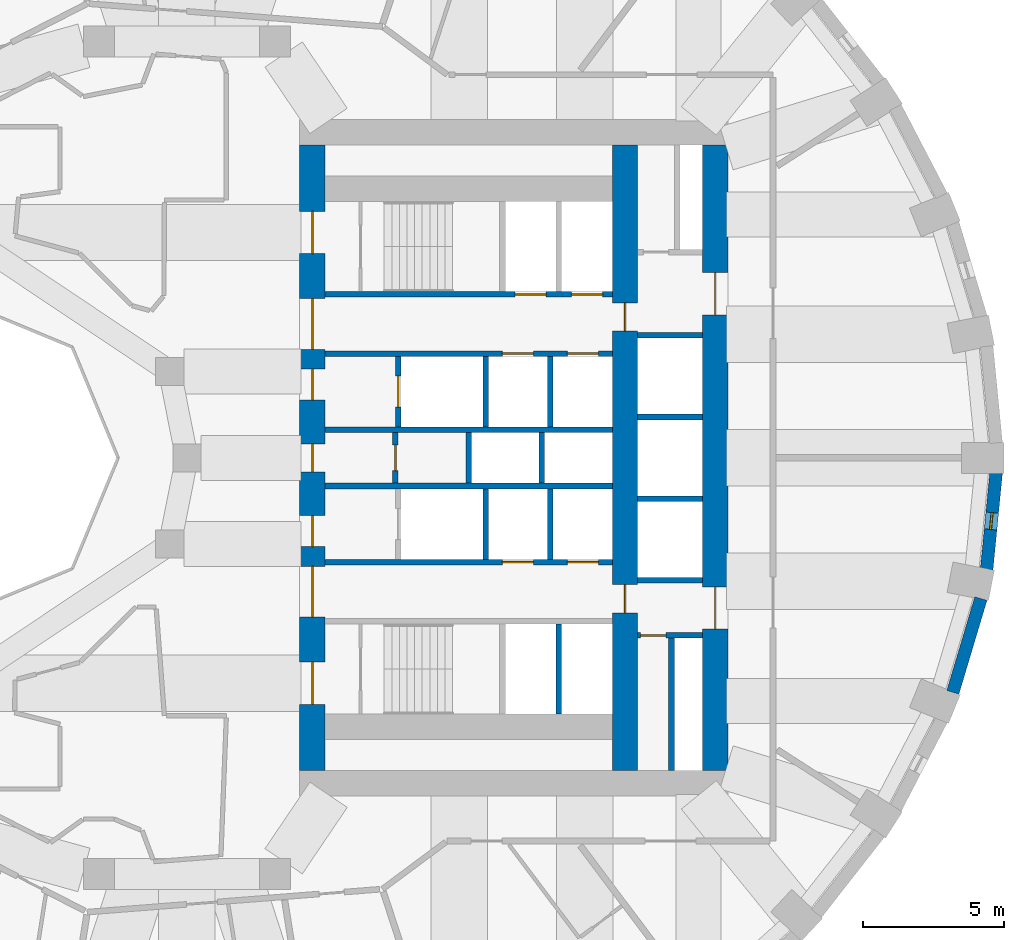
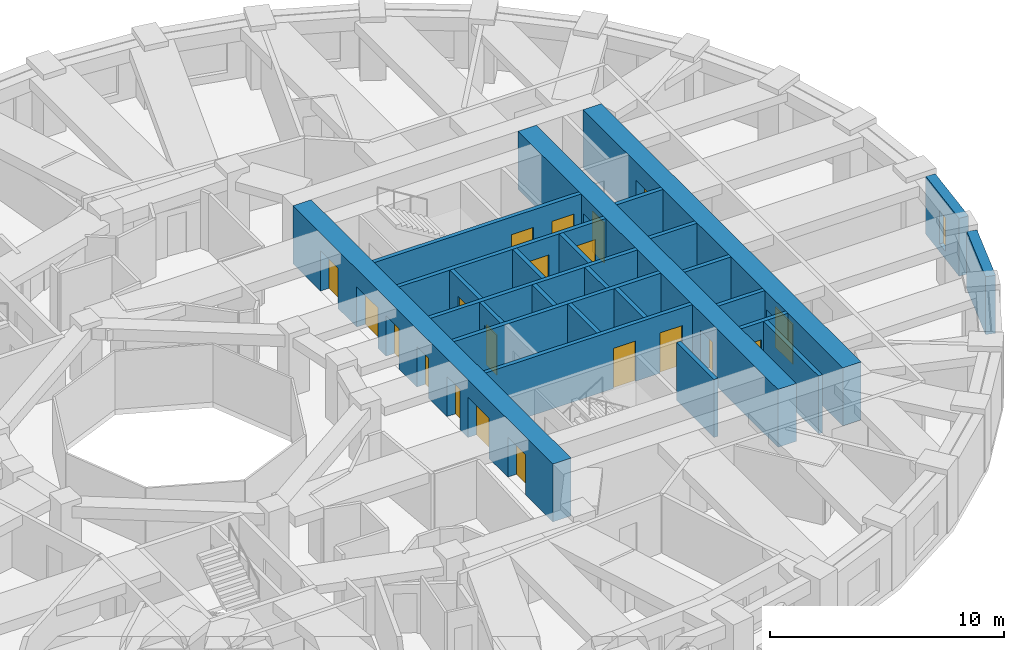
# One storey, part 6 of 13: 25 walls, 20 doors, 1 window, 21 openings.
"""IFC4 building model written with IfcOpenShell, lengths in metres."""

from ifc_helpers import new_model, si_unit, direction, frame, frame_2d, origin, place, context, subcontext, project, spatial, rectangle, extrude, material, layer, layer_set, type_object, element, fill, save


model = new_model("IFC4")

# Units and contexts
model_context = context("Model", 3, precision=1e-05, world=origin(), true_north=direction((0.0, 1.0)))
body_context = subcontext(model_context, "Body", "Model", "MODEL_VIEW")
ifc_project = project(units=[si_unit("LENGTHUNIT", "METRE"), si_unit("AREAUNIT", "SQUARE_METRE"), si_unit("VOLUMEUNIT", "CUBIC_METRE"), si_unit("PLANEANGLEUNIT", "RADIAN"), si_unit("MASSUNIT", "GRAM", prefix="KILO")], contexts=[model_context])

# Site, building, storey
site_placement = place(None, origin())
site = spatial("IfcSite", under=ifc_project, at=site_placement, CompositionType="ELEMENT")
building_placement = place(site_placement, origin())
building = spatial("IfcBuilding", under=site, at=building_placement, Name="Taillehof Tower", CompositionType="ELEMENT")
storey_placement = place(building_placement, frame((0.0, 0.0, 31.60009765625)))
storey = spatial("IfcBuildingStorey", under=building, at=storey_placement, Name="L07", CompositionType="ELEMENT", Elevation=31.60009765625)

# Wall
ifc_material_1 = material(Name="Brick masonry", Category="masonry")
ifc_layer_1 = layer(ifc_material_1, 0.449951171875)
ifc_layer_set_1 = layer_set([ifc_layer_1], Name="Brick infill wall 450")
wall_type_1 = type_object("IfcWallType", Name="Brick infill wall 450", PredefinedType="SOLIDWALL", material=ifc_layer_set_1)
wall_1_placement = place(storey_placement, frame((27.184814453125, -8.322998046875, 0.0), z_axis=(0.0, 0.0, 1.0), x_axis=(0.287064133733, 0.957911364963, 0.0)))
element("IfcWall", 1, at=wall_1_placement, inside=storey, type_object=wall_type_1, Name="Brick wall L07 bay 35", PredefinedType="SOLIDWALL", context=body_context, shape_type="SweptSolid", body=[
    extrude(rectangle(XDim=3.473388671875, YDim=0.449951171875, at=frame_2d((1.73681640625, 0.0))), origin(), (0.0, 0.0, 1.0), 3.02001953125),
])

# Wall, opening, window
wall_2_placement = place(storey_placement, frame((28.38671875, -3.95556640625, 0.0), z_axis=(0.0, 0.0, 1.0), x_axis=(0.097389581596, 0.995246336038, 0.0)))
wall_2 = element("IfcWall", 2, at=wall_2_placement, inside=storey, type_object=wall_type_1, Name="Brick wall L07 bay 36", PredefinedType="SOLIDWALL", context=body_context, shape_type="SweptSolid", body=[
    extrude(rectangle(XDim=3.44189453125, YDim=0.449951171875, at=frame_2d((1.720947265625, 0.0))), origin(), (0.0, 0.0, 1.0), 3.02001953125),
])
opening_1_placement = place(wall_2_placement, frame((1.4208984375, 0.0, 0.39990234375)))
opening_1 = element("IfcOpeningElement", 3, at=opening_1_placement, cuts=wall_2, Name="Opening W6", PredefinedType="OPENING", context=body_context, shape_type="SweptSolid", body=[
    extrude(rectangle(XDim=0.60009765625, YDim=1.75, at=frame_2d((0.300048828125, 0.875))), frame((0.0, 0.23486328125, 0.0), z_axis=(0.0, -1.0, 0.0), x_axis=(1.0, 0.0, 0.0)), (0.0, 0.0, 1.0), 0.469970703125),
])
ifc_material_2 = material(Name="Aluminium window frame with clear double glazing", Category="aluminium")
window_type = type_object("IfcWindowType", Name="Slot window 600x1750", PartitioningType="SINGLE_PANEL", PredefinedType="WINDOW", material=ifc_material_2)
window_placement = place(opening_1_placement, origin())
window = element("IfcWindow", 4, at=window_placement, inside=storey, type_object=window_type, Name="W6", OverallHeight=1.75, OverallWidth=0.60009765625, PartitioningType="SINGLE_PANEL", PredefinedType="WINDOW", context=body_context, shape_type="SweptSolid", body=[
    extrude(rectangle(XDim=0.60009765625, YDim=1.75, at=frame_2d((0.300048828125, 0.875))), frame((0.0, 0.034912109375, 0.0), z_axis=(0.0, -1.0, 0.0), x_axis=(1.0, 0.0, 0.0)), (0.0, 0.0, 1.0), 0.06005859375),
])
fill(opening_1, window)

# Wall, opening, door
ifc_material_3 = material(Name="Calcium silicate masonry", Category="masonry")
ifc_layer_2 = layer(ifc_material_3, 0.199951171875)
ifc_layer_set_2 = layer_set([ifc_layer_2], Name="Compartment wall calcium silicate 200")
wall_type_2 = type_object("IfcWallType", Name="Compartment wall calcium silicate 200", PredefinedType="PARTITIONING", material=ifc_layer_set_2)
wall_3_placement = place(storey_placement, frame((7.39990234375, -0.89990234375, 0.0), z_axis=(0.0, 0.0, 1.0), x_axis=(0.0, 1.0, 0.0)))
wall_3 = element("IfcWall", 5, at=wall_3_placement, inside=storey, type_object=wall_type_2, Name="Compartment wall FW", PredefinedType="PARTITIONING", context=body_context, shape_type="SweptSolid", body=[
    extrude(rectangle(XDim=1.7998046875, YDim=0.199951171875, at=frame_2d((0.89990234375, 0.0))), origin(), (0.0, 0.0, 1.0), 3.02001953125),
])
opening_2_placement = place(wall_3_placement, frame((0.449951171875, 0.0, 0.0)))
opening_2 = element("IfcOpeningElement", 6, at=opening_2_placement, cuts=wall_3, Name="Opening D0714", PredefinedType="OPENING", context=body_context, shape_type="SweptSolid", body=[
    extrude(rectangle(XDim=0.89990234375, YDim=2.10009765625, at=frame_2d((0.449951171875, 1.050048828125))), frame((0.0, 0.10986328125, 0.0), z_axis=(0.0, -1.0, 0.0), x_axis=(1.0, 0.0, 0.0)), (0.0, 0.0, 1.0), 0.219970703125),
])
ifc_material_4 = material(Name="Steel-faced fire door", Category="steel")
door_type_1 = type_object("IfcDoorType", Name="Riser and service room door 900x2100", OperationType="SINGLE_SWING_LEFT", PredefinedType="DOOR", material=ifc_material_4)
door_1_placement = place(opening_2_placement, origin())
door_1 = element("IfcDoor", 7, at=door_1_placement, inside=storey, type_object=door_type_1, Name="Door Comms Room", OperationType="SINGLE_SWING_RIGHT", OverallHeight=2.10009765625, OverallWidth=0.89990234375, PredefinedType="DOOR", context=body_context, shape_type="SweptSolid", body=[
    extrude(rectangle(XDim=0.89990234375, YDim=2.10009765625, at=frame_2d((0.449951171875, 1.050048828125))), frame((0.0, 0.02490234375, 0.0), z_axis=(0.0, -1.0, 0.0), x_axis=(1.0, 0.0, 0.0)), (0.0, 0.0, 1.0), 0.050048828125),
])
fill(opening_2, door_1)

# Walls
for number, where, z_axis, x_axis, name in (
    (8, (10.0, -0.89990234375, 0.0), (0.0, 0.0, 1.0), (0.0, 1.0, 0.0), "Compartment wall FW"),
    (9, (12.60009765625, -0.89990234375, 0.0), (0.0, 0.0, 1.0), (0.0, 1.0, 0.0), "Compartment wall FW"),
):
    element("IfcWall", number, at=place(storey_placement, frame(where, z_axis=z_axis, x_axis=x_axis)), inside=storey, type_object=wall_type_2, Name=name, PredefinedType="PARTITIONING", context=body_context, shape_type="SweptSolid", body=[
        extrude(rectangle(XDim=1.7998046875, YDim=0.199951171875, at=frame_2d((0.89990234375, 0.0))), origin(), (0.0, 0.0, 1.0), 3.02001953125),
    ])

# Wall, opening, door
wall_4_placement = place(storey_placement, frame((16.0, -6.300048828125, 0.0), z_axis=(0.0, 0.0, 1.0), x_axis=(1.0, 0.0, 0.0)))
wall_4 = element("IfcWall", 10, at=wall_4_placement, inside=storey, type_object=wall_type_2, Name="Compartment wall FW", PredefinedType="PARTITIONING", context=body_context, shape_type="SweptSolid", body=[
    extrude(rectangle(XDim=2.300048828125, YDim=0.199951171875, at=frame_2d((1.14990234375, 0.0))), origin(), (0.0, 0.0, 1.0), 3.02001953125),
])
opening_3_placement = place(wall_4_placement, frame((0.10009765625, 0.0, 0.0)))
opening_3 = element("IfcOpeningElement", 11, at=opening_3_placement, cuts=wall_4, Name="Opening D0718", PredefinedType="OPENING", context=body_context, shape_type="SweptSolid", body=[
    extrude(rectangle(XDim=0.89990234375, YDim=2.10009765625, at=frame_2d((0.449951171875, 1.050048828125))), frame((0.0, 0.10986328125, 0.0), z_axis=(0.0, -1.0, 0.0), x_axis=(1.0, 0.0, 0.0)), (0.0, 0.0, 1.0), 0.219970703125),
])
door_2_placement = place(opening_3_placement, origin())
door_2 = element("IfcDoor", 12, at=door_2_placement, inside=storey, type_object=door_type_1, Name="Door Store", OperationType="SINGLE_SWING_LEFT", OverallHeight=2.10009765625, OverallWidth=0.89990234375, PredefinedType="DOOR", context=body_context, shape_type="SweptSolid", body=[
    extrude(rectangle(XDim=0.89990234375, YDim=2.10009765625, at=frame_2d((0.449951171875, 1.050048828125))), frame((0.0, 0.02490234375, 0.0), z_axis=(0.0, -1.0, 0.0), x_axis=(1.0, 0.0, 0.0)), (0.0, 0.0, 1.0), 0.050048828125),
])
fill(opening_3, door_2)

# Wall
wall_5_placement = place(storey_placement, frame((17.199951171875, -11.10009765625, 0.0), z_axis=(0.0, 0.0, 1.0), x_axis=(0.0, 1.0, 0.0)))
element("IfcWall", 13, at=wall_5_placement, inside=storey, type_object=wall_type_2, Name="Compartment wall FW", PredefinedType="PARTITIONING", context=body_context, shape_type="SweptSolid", body=[
    extrude(rectangle(XDim=4.7001953125, YDim=0.199951171875, at=frame_2d((2.35009765625, 0.0))), origin(), (0.0, 0.0, 1.0), 3.02001953125),
])

# Wall, openings, doors
ifc_material_5 = material(Name="Concrete C80/95", Category="concrete")
ifc_layer_3 = layer(ifc_material_5, 0.89990234375)
ifc_layer_set_3 = layer_set([ifc_layer_3], Name="Core wall C80/95 900")
wall_type_3 = type_object("IfcWallType", Name="Core wall C80/95 900", PredefinedType="SHEAR", material=ifc_layer_set_3)
wall_6_placement = place(storey_placement, frame((4.449951171875, -11.10009765625, 0.0), z_axis=(0.0, 0.0, 1.0), x_axis=(0.0, 1.0, 0.0)))
wall_6 = element("IfcWall", 14, at=wall_6_placement, inside=storey, type_object=wall_type_3, Name="Core wall CW01", PredefinedType="SHEAR", context=body_context, shape_type="SweptSolid", body=[
    extrude(rectangle(XDim=22.2001953125, YDim=0.89990234375, at=frame_2d((11.10009765625, 0.0))), origin(), (0.0, 0.0, 1.0), 3.02001953125),
])
opening_4_placement = place(wall_6_placement, frame((2.35009765625, 0.0, 0.0)))
opening_4 = element("IfcOpeningElement", 15, at=opening_4_placement, cuts=wall_6, Name="Opening D0701", PredefinedType="OPENING", context=body_context, shape_type="SweptSolid", body=[
    extrude(rectangle(XDim=1.5, YDim=2.10009765625, at=frame_2d((0.75, 1.050048828125))), frame((0.0, 0.4599609375, 0.0), z_axis=(0.0, -1.0, 0.0), x_axis=(1.0, 0.0, 0.0)), (0.0, 0.0, 1.0), 0.919921875),
])
opening_5_placement = place(wall_6_placement, frame((5.449951171875, 0.0, 0.0)))
opening_5 = element("IfcOpeningElement", 16, at=opening_5_placement, cuts=wall_6, Name="Opening D0702", PredefinedType="OPENING", context=body_context, shape_type="SweptSolid", body=[
    extrude(rectangle(XDim=1.800048828125, YDim=2.10009765625, at=frame_2d((0.89990234375, 1.050048828125))), frame((0.0, 0.4599609375, 0.0), z_axis=(0.0, -1.0, 0.0), x_axis=(1.0, 0.0, 0.0)), (0.0, 0.0, 1.0), 0.919921875),
])
opening_6_placement = place(wall_6_placement, frame((7.949951171875, 0.0, 0.0)))
opening_6 = element("IfcOpeningElement", 17, at=opening_6_placement, cuts=wall_6, Name="Opening D0703", PredefinedType="OPENING", context=body_context, shape_type="SweptSolid", body=[
    extrude(rectangle(XDim=1.10009765625, YDim=2.10009765625, at=frame_2d((0.550048828125, 1.050048828125))), frame((0.0, 0.4599609375, 0.0), z_axis=(0.0, -1.0, 0.0), x_axis=(1.0, 0.0, 0.0)), (0.0, 0.0, 1.0), 0.919921875),
])
opening_7_placement = place(wall_6_placement, frame((10.60009765625, 0.0, 0.0)))
opening_7 = element("IfcOpeningElement", 18, at=opening_7_placement, cuts=wall_6, Name="Opening D0704", PredefinedType="OPENING", context=body_context, shape_type="SweptSolid", body=[
    extrude(rectangle(XDim=1.0, YDim=2.10009765625, at=frame_2d((0.5, 1.050048828125))), frame((0.0, 0.4599609375, 0.0), z_axis=(0.0, -1.0, 0.0), x_axis=(1.0, 0.0, 0.0)), (0.0, 0.0, 1.0), 0.919921875),
])
opening_8_placement = place(wall_6_placement, frame((13.14990234375, 0.0, 0.0)))
opening_8 = element("IfcOpeningElement", 19, at=opening_8_placement, cuts=wall_6, Name="Opening D0705", PredefinedType="OPENING", context=body_context, shape_type="SweptSolid", body=[
    extrude(rectangle(XDim=1.10009765625, YDim=2.10009765625, at=frame_2d((0.550048828125, 1.050048828125))), frame((0.0, 0.4599609375, 0.0), z_axis=(0.0, -1.0, 0.0), x_axis=(1.0, 0.0, 0.0)), (0.0, 0.0, 1.0), 0.919921875),
])
opening_9_placement = place(wall_6_placement, frame((14.949951171875, 0.0, 0.0)))
opening_9 = element("IfcOpeningElement", 20, at=opening_9_placement, cuts=wall_6, Name="Opening D0706", PredefinedType="OPENING", context=body_context, shape_type="SweptSolid", body=[
    extrude(rectangle(XDim=1.800048828125, YDim=2.10009765625, at=frame_2d((0.89990234375, 1.050048828125))), frame((0.0, 0.4599609375, 0.0), z_axis=(0.0, -1.0, 0.0), x_axis=(1.0, 0.0, 0.0)), (0.0, 0.0, 1.0), 0.919921875),
])
opening_10_placement = place(wall_6_placement, frame((18.35009765625, 0.0, 0.0)))
opening_10 = element("IfcOpeningElement", 21, at=opening_10_placement, cuts=wall_6, Name="Opening D0707", PredefinedType="OPENING", context=body_context, shape_type="SweptSolid", body=[
    extrude(rectangle(XDim=1.5, YDim=2.10009765625, at=frame_2d((0.75, 1.050048828125))), frame((0.0, 0.4599609375, 0.0), z_axis=(0.0, -1.0, 0.0), x_axis=(1.0, 0.0, 0.0)), (0.0, 0.0, 1.0), 0.919921875),
])
ifc_material_6 = material(Name="Steel-faced fire door", Category="steel")
door_type_2 = type_object("IfcDoorType", Name="Firefighting lobby door 1100x2100", OperationType="SINGLE_SWING_RIGHT", PredefinedType="DOOR", material=ifc_material_6)
door_3_placement = place(opening_6_placement, origin())
door_3 = element("IfcDoor", 22, at=door_3_placement, inside=storey, type_object=door_type_2, Name="Firefighting lobby door FFL-S", OperationType="SINGLE_SWING_RIGHT", OverallHeight=2.10009765625, OverallWidth=1.10009765625, PredefinedType="DOOR", context=body_context, shape_type="SweptSolid", body=[
    extrude(rectangle(XDim=1.10009765625, YDim=2.10009765625, at=frame_2d((0.550048828125, 1.050048828125))), frame((0.0, 0.02490234375, 0.0), z_axis=(0.0, -1.0, 0.0), x_axis=(1.0, 0.0, 0.0)), (0.0, 0.0, 1.0), 0.050048828125),
])
fill(opening_6, door_3)
door_4_placement = place(opening_8_placement, origin())
door_4 = element("IfcDoor", 23, at=door_4_placement, inside=storey, type_object=door_type_2, Name="Firefighting lobby door FFL-N", OperationType="SINGLE_SWING_LEFT", OverallHeight=2.10009765625, OverallWidth=1.10009765625, PredefinedType="DOOR", context=body_context, shape_type="SweptSolid", body=[
    extrude(rectangle(XDim=1.10009765625, YDim=2.10009765625, at=frame_2d((0.550048828125, 1.050048828125))), frame((0.0, 0.02490234375, 0.0), z_axis=(0.0, -1.0, 0.0), x_axis=(1.0, 0.0, 0.0)), (0.0, 0.0, 1.0), 0.050048828125),
])
fill(opening_8, door_4)
ifc_material_7 = material(Name="Steel-faced fire door", Category="steel")
door_type_3 = type_object("IfcDoorType", Name="Lift lobby door 1800x2100", OperationType="DOUBLE_DOOR_SINGLE_SWING", PredefinedType="DOOR", material=ifc_material_7)
door_5_placement = place(opening_5_placement, origin())
door_5 = element("IfcDoor", 24, at=door_5_placement, inside=storey, type_object=door_type_3, Name="Lift lobby door LL-S", OperationType="DOUBLE_DOOR_SINGLE_SWING", OverallHeight=2.10009765625, OverallWidth=1.800048828125, PredefinedType="DOOR", context=body_context, shape_type="SweptSolid", body=[
    extrude(rectangle(XDim=1.800048828125, YDim=2.10009765625, at=frame_2d((0.89990234375, 1.050048828125))), frame((0.0, 0.02490234375, 0.0), z_axis=(0.0, -1.0, 0.0), x_axis=(1.0, 0.0, 0.0)), (0.0, 0.0, 1.0), 0.050048828125),
])
fill(opening_5, door_5)
door_6_placement = place(opening_9_placement, origin())
door_6 = element("IfcDoor", 25, at=door_6_placement, inside=storey, type_object=door_type_3, Name="Lift lobby door LL-N", OperationType="DOUBLE_DOOR_SINGLE_SWING", OverallHeight=2.10009765625, OverallWidth=1.800048828125, PredefinedType="DOOR", context=body_context, shape_type="SweptSolid", body=[
    extrude(rectangle(XDim=1.800048828125, YDim=2.10009765625, at=frame_2d((0.89990234375, 1.050048828125))), frame((0.0, 0.02490234375, 0.0), z_axis=(0.0, -1.0, 0.0), x_axis=(1.0, 0.0, 0.0)), (0.0, 0.0, 1.0), 0.050048828125),
])
fill(opening_9, door_6)
ifc_material_8 = material(Name="Steel-faced fire door", Category="steel")
door_type_4 = type_object("IfcDoorType", Name="Service door 1000x2100", OperationType="SINGLE_SWING_RIGHT", PredefinedType="DOOR", material=ifc_material_8)
door_7_placement = place(opening_7_placement, origin())
door_7 = element("IfcDoor", 26, at=door_7_placement, inside=storey, type_object=door_type_4, Name="Service door SV", OperationType="SINGLE_SWING_RIGHT", OverallHeight=2.10009765625, OverallWidth=1.0, PredefinedType="DOOR", context=body_context, shape_type="SweptSolid", body=[
    extrude(rectangle(XDim=1.0, YDim=2.10009765625, at=frame_2d((0.5, 1.050048828125))), frame((0.0, 0.02490234375, 0.0), z_axis=(0.0, -1.0, 0.0), x_axis=(1.0, 0.0, 0.0)), (0.0, 0.0, 1.0), 0.050048828125),
])
fill(opening_7, door_7)
ifc_material_9 = material(Name="Steel-faced fire door", Category="steel")
door_type_5 = type_object("IfcDoorType", Name="Stair door 1500x2100", OperationType="DOUBLE_DOOR_SINGLE_SWING", PredefinedType="DOOR", material=ifc_material_9)
door_8_placement = place(opening_4_placement, origin())
door_8 = element("IfcDoor", 27, at=door_8_placement, inside=storey, type_object=door_type_5, Name="Stair door S2", OperationType="DOUBLE_DOOR_SINGLE_SWING", OverallHeight=2.10009765625, OverallWidth=1.5, PredefinedType="DOOR", context=body_context, shape_type="SweptSolid", body=[
    extrude(rectangle(XDim=1.5, YDim=2.10009765625, at=frame_2d((0.75, 1.050048828125))), frame((0.0, 0.02490234375, 0.0), z_axis=(0.0, -1.0, 0.0), x_axis=(1.0, 0.0, 0.0)), (0.0, 0.0, 1.0), 0.050048828125),
])
fill(opening_4, door_8)
door_9_placement = place(opening_10_placement, origin())
door_9 = element("IfcDoor", 28, at=door_9_placement, inside=storey, type_object=door_type_5, Name="Stair door S1", OperationType="DOUBLE_DOOR_SINGLE_SWING", OverallHeight=2.10009765625, OverallWidth=1.5, PredefinedType="DOOR", context=body_context, shape_type="SweptSolid", body=[
    extrude(rectangle(XDim=1.5, YDim=2.10009765625, at=frame_2d((0.75, 1.050048828125))), frame((0.0, 0.02490234375, 0.0), z_axis=(0.0, -1.0, 0.0), x_axis=(1.0, 0.0, 0.0)), (0.0, 0.0, 1.0), 0.050048828125),
])
fill(opening_10, door_9)

wall_7_placement = place(storey_placement, frame((18.75, -11.10009765625, 0.0), z_axis=(0.0, 0.0, 1.0), x_axis=(0.0, 1.0, 0.0)))
wall_7 = element("IfcWall", 29, at=wall_7_placement, inside=storey, type_object=wall_type_3, Name="Core wall CW02", PredefinedType="SHEAR", context=body_context, shape_type="SweptSolid", body=[
    extrude(rectangle(XDim=22.2001953125, YDim=0.89990234375, at=frame_2d((11.10009765625, 0.0))), origin(), (0.0, 0.0, 1.0), 3.02001953125),
])
opening_11_placement = place(wall_7_placement, frame((16.175048828125, 0.0, 0.0)))
opening_11 = element("IfcOpeningElement", 30, at=opening_11_placement, cuts=wall_7, Name="Opening D0708", PredefinedType="OPENING", context=body_context, shape_type="SweptSolid", body=[
    extrude(rectangle(XDim=1.5, YDim=2.10009765625, at=frame_2d((0.75, 1.050048828125))), frame((0.0, 0.4599609375, 0.0), z_axis=(0.0, -1.0, 0.0), x_axis=(1.0, 0.0, 0.0)), (0.0, 0.0, 1.0), 0.919921875),
])
opening_12_placement = place(wall_7_placement, frame((5.02490234375, 0.0, 0.0)))
opening_12 = element("IfcOpeningElement", 31, at=opening_12_placement, cuts=wall_7, Name="Opening D0709", PredefinedType="OPENING", context=body_context, shape_type="SweptSolid", body=[
    extrude(rectangle(XDim=1.5, YDim=2.10009765625, at=frame_2d((0.75, 1.050048828125))), frame((0.0, 0.4599609375, 0.0), z_axis=(0.0, -1.0, 0.0), x_axis=(1.0, 0.0, 0.0)), (0.0, 0.0, 1.0), 0.919921875),
])
ifc_material_10 = material(Name="Steel-faced fire door", Category="steel")
door_type_6 = type_object("IfcDoorType", Name="Lift lobby east door 1500x2100", OperationType="DOUBLE_DOOR_SINGLE_SWING", PredefinedType="DOOR", material=ifc_material_10)
door_10_placement = place(opening_11_placement, origin())
door_10 = element("IfcDoor", 32, at=door_10_placement, inside=storey, type_object=door_type_6, Name="Lift lobby east door north", OperationType="DOUBLE_DOOR_SINGLE_SWING", OverallHeight=2.10009765625, OverallWidth=1.5, PredefinedType="DOOR", context=body_context, shape_type="SweptSolid", body=[
    extrude(rectangle(XDim=1.5, YDim=2.10009765625, at=frame_2d((0.75, 1.050048828125))), frame((0.0, 0.02490234375, 0.0), z_axis=(0.0, -1.0, 0.0), x_axis=(1.0, 0.0, 0.0)), (0.0, 0.0, 1.0), 0.050048828125),
])
fill(opening_11, door_10)
door_11_placement = place(opening_12_placement, origin())
door_11 = element("IfcDoor", 33, at=door_11_placement, inside=storey, type_object=door_type_6, Name="Lift lobby east door south", OperationType="DOUBLE_DOOR_SINGLE_SWING", OverallHeight=2.10009765625, OverallWidth=1.5, PredefinedType="DOOR", context=body_context, shape_type="SweptSolid", body=[
    extrude(rectangle(XDim=1.5, YDim=2.10009765625, at=frame_2d((0.75, 1.050048828125))), frame((0.0, 0.02490234375, 0.0), z_axis=(0.0, -1.0, 0.0), x_axis=(1.0, 0.0, 0.0)), (0.0, 0.0, 1.0), 0.050048828125),
])
fill(opening_12, door_11)

wall_8_placement = place(storey_placement, frame((15.550048828125, -11.10009765625, 0.0), z_axis=(0.0, 0.0, 1.0), x_axis=(0.0, 1.0, 0.0)))
wall_8 = element("IfcWall", 34, at=wall_8_placement, inside=storey, type_object=wall_type_3, Name="Core wall CW05", PredefinedType="SHEAR", context=body_context, shape_type="SweptSolid", body=[
    extrude(rectangle(XDim=22.2001953125, YDim=0.89990234375, at=frame_2d((11.10009765625, 0.0))), origin(), (0.0, 0.0, 1.0), 3.02001953125),
])
opening_13_placement = place(wall_8_placement, frame((15.60009765625, 0.0, 0.0)))
opening_13 = element("IfcOpeningElement", 35, at=opening_13_placement, cuts=wall_8, Name="Opening D0715", PredefinedType="OPENING", context=body_context, shape_type="SweptSolid", body=[
    extrude(rectangle(XDim=1.0, YDim=2.10009765625, at=frame_2d((0.5, 1.050048828125))), frame((0.0, 0.4599609375, 0.0), z_axis=(0.0, -1.0, 0.0), x_axis=(1.0, 0.0, 0.0)), (0.0, 0.0, 1.0), 0.919921875),
])
opening_14_placement = place(wall_8_placement, frame((5.60009765625, 0.0, 0.0)))
opening_14 = element("IfcOpeningElement", 36, at=opening_14_placement, cuts=wall_8, Name="Opening D0717", PredefinedType="OPENING", context=body_context, shape_type="SweptSolid", body=[
    extrude(rectangle(XDim=1.0, YDim=2.10009765625, at=frame_2d((0.5, 1.050048828125))), frame((0.0, 0.4599609375, 0.0), z_axis=(0.0, -1.0, 0.0), x_axis=(1.0, 0.0, 0.0)), (0.0, 0.0, 1.0), 0.919921875),
])
door_12_placement = place(opening_13_placement, origin())
door_12 = element("IfcDoor", 37, at=door_12_placement, inside=storey, type_object=door_type_4, Name="Service door strip", OperationType="SINGLE_SWING_RIGHT", OverallHeight=2.10009765625, OverallWidth=1.0, PredefinedType="DOOR", context=body_context, shape_type="SweptSolid", body=[
    extrude(rectangle(XDim=1.0, YDim=2.10009765625, at=frame_2d((0.5, 1.050048828125))), frame((0.0, 0.02490234375, 0.0), z_axis=(0.0, -1.0, 0.0), x_axis=(1.0, 0.0, 0.0)), (0.0, 0.0, 1.0), 0.050048828125),
])
fill(opening_13, door_12)
door_13_placement = place(opening_14_placement, origin())
door_13 = element("IfcDoor", 38, at=door_13_placement, inside=storey, type_object=door_type_4, Name="Service door strip", OperationType="SINGLE_SWING_LEFT", OverallHeight=2.10009765625, OverallWidth=1.0, PredefinedType="DOOR", context=body_context, shape_type="SweptSolid", body=[
    extrude(rectangle(XDim=1.0, YDim=2.10009765625, at=frame_2d((0.5, 1.050048828125))), frame((0.0, 0.02490234375, 0.0), z_axis=(0.0, -1.0, 0.0), x_axis=(1.0, 0.0, 0.0)), (0.0, 0.0, 1.0), 0.050048828125),
])
fill(opening_14, door_13)

ifc_material_11 = material(Name="Concrete C50/60", Category="concrete")
ifc_layer_4 = layer(ifc_material_11, 0.199951171875)
ifc_layer_set_4 = layer_set([ifc_layer_4], Name="Shaft wall C50/60 200")
wall_type_4 = type_object("IfcWallType", Name="Shaft wall C50/60 200", PredefinedType="SHEAR", material=ifc_layer_set_4)
wall_9_placement = place(storey_placement, frame((4.89990234375, 5.800048828125, 0.0), z_axis=(0.0, 0.0, 1.0), x_axis=(1.0, 0.0, 0.0)))
wall_9 = element("IfcWall", 39, at=wall_9_placement, inside=storey, type_object=wall_type_4, Name="Shaft wall SW", PredefinedType="SHEAR", context=body_context, shape_type="SweptSolid", body=[
    extrude(rectangle(XDim=10.2001953125, YDim=0.199951171875, at=frame_2d((5.10009765625, 0.0))), origin(), (0.0, 0.0, 1.0), 3.02001953125),
])
opening_15_placement = place(wall_9_placement, frame((6.75, 0.0, 0.0)))
opening_15 = element("IfcOpeningElement", 40, at=opening_15_placement, cuts=wall_9, Name="Opening LD1", PredefinedType="OPENING", context=body_context, shape_type="SweptSolid", body=[
    extrude(rectangle(XDim=1.10009765625, YDim=2.10009765625, at=frame_2d((0.550048828125, 1.050048828125))), frame((0.0, 0.10986328125, 0.0), z_axis=(0.0, -1.0, 0.0), x_axis=(1.0, 0.0, 0.0)), (0.0, 0.0, 1.0), 0.219970703125),
])
opening_16_placement = place(wall_9_placement, frame((8.75, 0.0, 0.0)))
opening_16 = element("IfcOpeningElement", 41, at=opening_16_placement, cuts=wall_9, Name="Opening LD1", PredefinedType="OPENING", context=body_context, shape_type="SweptSolid", body=[
    extrude(rectangle(XDim=1.10009765625, YDim=2.10009765625, at=frame_2d((0.550048828125, 1.050048828125))), frame((0.0, 0.10986328125, 0.0), z_axis=(0.0, -1.0, 0.0), x_axis=(1.0, 0.0, 0.0)), (0.0, 0.0, 1.0), 0.219970703125),
])
ifc_material_12 = material(Name="Stainless steel", Category="steel")
door_type_7 = type_object("IfcDoorType", Name="Lift landing door LD1 1100x2100", OperationType="DOUBLE_DOOR_SLIDING", PredefinedType="DOOR", material=ifc_material_12)
door_14_placement = place(opening_15_placement, origin())
door_14 = element("IfcDoor", 42, at=door_14_placement, inside=storey, type_object=door_type_7, Name="Landing door LR1", OperationType="DOUBLE_DOOR_SLIDING", OverallHeight=2.10009765625, OverallWidth=1.10009765625, PredefinedType="DOOR", context=body_context, shape_type="SweptSolid", body=[
    extrude(rectangle(XDim=1.10009765625, YDim=2.10009765625, at=frame_2d((0.550048828125, 1.050048828125))), frame((0.0, 0.02490234375, 0.0), z_axis=(0.0, -1.0, 0.0), x_axis=(1.0, 0.0, 0.0)), (0.0, 0.0, 1.0), 0.050048828125),
])
fill(opening_15, door_14)
door_15_placement = place(opening_16_placement, origin())
door_15 = element("IfcDoor", 43, at=door_15_placement, inside=storey, type_object=door_type_7, Name="Landing door LR2", OperationType="DOUBLE_DOOR_SLIDING", OverallHeight=2.10009765625, OverallWidth=1.10009765625, PredefinedType="DOOR", context=body_context, shape_type="SweptSolid", body=[
    extrude(rectangle(XDim=1.10009765625, YDim=2.10009765625, at=frame_2d((0.550048828125, 1.050048828125))), frame((0.0, 0.02490234375, 0.0), z_axis=(0.0, -1.0, 0.0), x_axis=(1.0, 0.0, 0.0)), (0.0, 0.0, 1.0), 0.050048828125),
])
fill(opening_16, door_15)

wall_10_placement = place(storey_placement, frame((4.89990234375, 3.699951171875, 0.0), z_axis=(0.0, 0.0, 1.0), x_axis=(1.0, 0.0, 0.0)))
wall_10 = element("IfcWall", 44, at=wall_10_placement, inside=storey, type_object=wall_type_4, Name="Shaft wall SW", PredefinedType="SHEAR", context=body_context, shape_type="SweptSolid", body=[
    extrude(rectangle(XDim=10.2001953125, YDim=0.199951171875, at=frame_2d((5.10009765625, 0.0))), origin(), (0.0, 0.0, 1.0), 3.02001953125),
])
opening_17_placement = place(wall_10_placement, frame((6.300048828125, 0.0, 0.0)))
opening_17 = element("IfcOpeningElement", 45, at=opening_17_placement, cuts=wall_10, Name="Opening LD1", PredefinedType="OPENING", context=body_context, shape_type="SweptSolid", body=[
    extrude(rectangle(XDim=1.10009765625, YDim=2.10009765625, at=frame_2d((0.550048828125, 1.050048828125))), frame((0.0, 0.10986328125, 0.0), z_axis=(0.0, -1.0, 0.0), x_axis=(1.0, 0.0, 0.0)), (0.0, 0.0, 1.0), 0.219970703125),
])
opening_18_placement = place(wall_10_placement, frame((8.60009765625, 0.0, 0.0)))
opening_18 = element("IfcOpeningElement", 46, at=opening_18_placement, cuts=wall_10, Name="Opening LD1", PredefinedType="OPENING", context=body_context, shape_type="SweptSolid", body=[
    extrude(rectangle(XDim=1.10009765625, YDim=2.10009765625, at=frame_2d((0.550048828125, 1.050048828125))), frame((0.0, 0.10986328125, 0.0), z_axis=(0.0, -1.0, 0.0), x_axis=(1.0, 0.0, 0.0)), (0.0, 0.0, 1.0), 0.219970703125),
])
door_16_placement = place(opening_17_placement, origin())
door_16 = element("IfcDoor", 47, at=door_16_placement, inside=storey, type_object=door_type_7, Name="Landing door LR3", OperationType="DOUBLE_DOOR_SLIDING", OverallHeight=2.10009765625, OverallWidth=1.10009765625, PredefinedType="DOOR", context=body_context, shape_type="SweptSolid", body=[
    extrude(rectangle(XDim=1.10009765625, YDim=2.10009765625, at=frame_2d((0.550048828125, 1.050048828125))), frame((0.0, 0.02490234375, 0.0), z_axis=(0.0, -1.0, 0.0), x_axis=(1.0, 0.0, 0.0)), (0.0, 0.0, 1.0), 0.050048828125),
])
fill(opening_17, door_16)
door_17_placement = place(opening_18_placement, origin())
door_17 = element("IfcDoor", 48, at=door_17_placement, inside=storey, type_object=door_type_7, Name="Landing door LR4", OperationType="DOUBLE_DOOR_SLIDING", OverallHeight=2.10009765625, OverallWidth=1.10009765625, PredefinedType="DOOR", context=body_context, shape_type="SweptSolid", body=[
    extrude(rectangle(XDim=1.10009765625, YDim=2.10009765625, at=frame_2d((0.550048828125, 1.050048828125))), frame((0.0, 0.02490234375, 0.0), z_axis=(0.0, -1.0, 0.0), x_axis=(1.0, 0.0, 0.0)), (0.0, 0.0, 1.0), 0.050048828125),
])
fill(opening_18, door_17)

# Walls
for number, where, z_axis, x_axis, name in (
    (49, (4.89990234375, 1.0, 0.0), (0.0, 0.0, 1.0), (1.0, 0.0, 0.0), "Shaft wall SW"),
    (50, (4.89990234375, -1.0, 0.0), (0.0, 0.0, 1.0), (1.0, 0.0, 0.0), "Shaft wall SW"),
):
    element("IfcWall", number, at=place(storey_placement, frame(where, z_axis=z_axis, x_axis=x_axis)), inside=storey, type_object=wall_type_4, Name=name, PredefinedType="SHEAR", context=body_context, shape_type="SweptSolid", body=[
        extrude(rectangle(XDim=10.2001953125, YDim=0.199951171875, at=frame_2d((5.10009765625, 0.0))), origin(), (0.0, 0.0, 1.0), 3.02001953125),
    ])

# Wall, openings, doors
wall_11_placement = place(storey_placement, frame((4.89990234375, -3.699951171875, 0.0), z_axis=(0.0, 0.0, 1.0), x_axis=(1.0, 0.0, 0.0)))
wall_11 = element("IfcWall", 51, at=wall_11_placement, inside=storey, type_object=wall_type_4, Name="Shaft wall SW", PredefinedType="SHEAR", context=body_context, shape_type="SweptSolid", body=[
    extrude(rectangle(XDim=10.2001953125, YDim=0.199951171875, at=frame_2d((5.10009765625, 0.0))), origin(), (0.0, 0.0, 1.0), 3.02001953125),
])
opening_19_placement = place(wall_11_placement, frame((6.300048828125, 0.0, 0.0)))
opening_19 = element("IfcOpeningElement", 52, at=opening_19_placement, cuts=wall_11, Name="Opening LD1", PredefinedType="OPENING", context=body_context, shape_type="SweptSolid", body=[
    extrude(rectangle(XDim=1.10009765625, YDim=2.10009765625, at=frame_2d((0.550048828125, 1.050048828125))), frame((0.0, 0.10986328125, 0.0), z_axis=(0.0, -1.0, 0.0), x_axis=(1.0, 0.0, 0.0)), (0.0, 0.0, 1.0), 0.219970703125),
])
opening_20_placement = place(wall_11_placement, frame((8.60009765625, 0.0, 0.0)))
opening_20 = element("IfcOpeningElement", 53, at=opening_20_placement, cuts=wall_11, Name="Opening LD1", PredefinedType="OPENING", context=body_context, shape_type="SweptSolid", body=[
    extrude(rectangle(XDim=1.10009765625, YDim=2.10009765625, at=frame_2d((0.550048828125, 1.050048828125))), frame((0.0, 0.10986328125, 0.0), z_axis=(0.0, -1.0, 0.0), x_axis=(1.0, 0.0, 0.0)), (0.0, 0.0, 1.0), 0.219970703125),
])
door_18_placement = place(opening_19_placement, origin())
door_18 = element("IfcDoor", 54, at=door_18_placement, inside=storey, type_object=door_type_7, Name="Landing door LR5", OperationType="DOUBLE_DOOR_SLIDING", OverallHeight=2.10009765625, OverallWidth=1.10009765625, PredefinedType="DOOR", context=body_context, shape_type="SweptSolid", body=[
    extrude(rectangle(XDim=1.10009765625, YDim=2.10009765625, at=frame_2d((0.550048828125, 1.050048828125))), frame((0.0, 0.02490234375, 0.0), z_axis=(0.0, -1.0, 0.0), x_axis=(1.0, 0.0, 0.0)), (0.0, 0.0, 1.0), 0.050048828125),
])
fill(opening_19, door_18)
door_19_placement = place(opening_20_placement, origin())
door_19 = element("IfcDoor", 55, at=door_19_placement, inside=storey, type_object=door_type_7, Name="Landing door LR6", OperationType="DOUBLE_DOOR_SLIDING", OverallHeight=2.10009765625, OverallWidth=1.10009765625, PredefinedType="DOOR", context=body_context, shape_type="SweptSolid", body=[
    extrude(rectangle(XDim=1.10009765625, YDim=2.10009765625, at=frame_2d((0.550048828125, 1.050048828125))), frame((0.0, 0.02490234375, 0.0), z_axis=(0.0, -1.0, 0.0), x_axis=(1.0, 0.0, 0.0)), (0.0, 0.0, 1.0), 0.050048828125),
])
fill(opening_20, door_19)

# Wall
wall_12_placement = place(storey_placement, frame((13.199951171875, -9.10009765625, 0.0), z_axis=(0.0, 0.0, 1.0), x_axis=(0.0, 1.0, 0.0)))
element("IfcWall", 56, at=wall_12_placement, inside=storey, type_object=wall_type_4, Name="Shaft wall SW", PredefinedType="SHEAR", context=body_context, shape_type="SweptSolid", body=[
    extrude(rectangle(XDim=3.2001953125, YDim=0.199951171875, at=frame_2d((1.60009765625, 0.0))), origin(), (0.0, 0.0, 1.0), 3.02001953125),
])

# Wall, opening, door
wall_13_placement = place(storey_placement, frame((7.5, 1.10009765625, 0.0), z_axis=(0.0, 0.0, 1.0), x_axis=(0.0, 1.0, 0.0)))
wall_13 = element("IfcWall", 57, at=wall_13_placement, inside=storey, type_object=wall_type_4, Name="Shaft wall SW", PredefinedType="SHEAR", context=body_context, shape_type="SweptSolid", body=[
    extrude(rectangle(XDim=2.5, YDim=0.199951171875, at=frame_2d((1.25, 0.0))), origin(), (0.0, 0.0, 1.0), 3.02001953125),
])
opening_21_placement = place(wall_13_placement, frame((0.699951171875, 0.0, 0.0)))
opening_21 = element("IfcOpeningElement", 58, at=opening_21_placement, cuts=wall_13, Name="Opening LD1", PredefinedType="OPENING", context=body_context, shape_type="SweptSolid", body=[
    extrude(rectangle(XDim=1.10009765625, YDim=2.10009765625, at=frame_2d((0.550048828125, 1.050048828125))), frame((0.0, 0.10986328125, 0.0), z_axis=(0.0, -1.0, 0.0), x_axis=(1.0, 0.0, 0.0)), (0.0, 0.0, 1.0), 0.219970703125),
])
door_20_placement = place(opening_21_placement, origin())
door_20 = element("IfcDoor", 59, at=door_20_placement, inside=storey, type_object=door_type_7, Name="Landing door FF1", OperationType="DOUBLE_DOOR_SLIDING", OverallHeight=2.10009765625, OverallWidth=1.10009765625, PredefinedType="DOOR", context=body_context, shape_type="SweptSolid", body=[
    extrude(rectangle(XDim=1.10009765625, YDim=2.10009765625, at=frame_2d((0.550048828125, 1.050048828125))), frame((0.0, 0.02490234375, 0.0), z_axis=(0.0, -1.0, 0.0), x_axis=(1.0, 0.0, 0.0)), (0.0, 0.0, 1.0), 0.050048828125),
])
fill(opening_21, door_20)

# Walls
for number, where, z_axis, x_axis, name in (
    (60, (10.60009765625, 1.10009765625, 0.0), (0.0, 0.0, 1.0), (0.0, 1.0, 0.0), "Shaft wall SW"),
    (61, (10.60009765625, -3.60009765625, 0.0), (0.0, 0.0, 1.0), (0.0, 1.0, 0.0), "Shaft wall SW"),
    (62, (12.89990234375, 1.10009765625, 0.0), (0.0, 0.0, 1.0), (0.0, 1.0, 0.0), "Shaft wall SW"),
    (63, (12.89990234375, -3.60009765625, 0.0), (0.0, 0.0, 1.0), (0.0, 1.0, 0.0), "Shaft wall SW"),
):
    element("IfcWall", number, at=place(storey_placement, frame(where, z_axis=z_axis, x_axis=x_axis)), inside=storey, type_object=wall_type_4, Name=name, PredefinedType="SHEAR", context=body_context, shape_type="SweptSolid", body=[
        extrude(rectangle(XDim=2.5, YDim=0.199951171875, at=frame_2d((1.25, 0.0))), origin(), (0.0, 0.0, 1.0), 3.02001953125),
    ])
for number, where, z_axis, x_axis, name in (
    (64, (16.0, -4.35009765625, 0.0), (0.0, 0.0, 1.0), (1.0, 0.0, 0.0), "Shaft wall SW"),
    (65, (16.0, -1.449951171875, 0.0), (0.0, 0.0, 1.0), (1.0, 0.0, 0.0), "Shaft wall SW"),
    (66, (16.0, 1.449951171875, 0.0), (0.0, 0.0, 1.0), (1.0, 0.0, 0.0), "Shaft wall SW"),
    (67, (16.0, 4.35009765625, 0.0), (0.0, 0.0, 1.0), (1.0, 0.0, 0.0), "Shaft wall SW"),
):
    element("IfcWall", number, at=place(storey_placement, frame(where, z_axis=z_axis, x_axis=x_axis)), inside=storey, type_object=wall_type_4, Name=name, PredefinedType="SHEAR", context=body_context, shape_type="SweptSolid", body=[
        extrude(rectangle(XDim=2.300048828125, YDim=0.199951171875, at=frame_2d((1.14990234375, 0.0))), origin(), (0.0, 0.0, 1.0), 3.02001953125),
    ])

save(model, "model.ifc")
